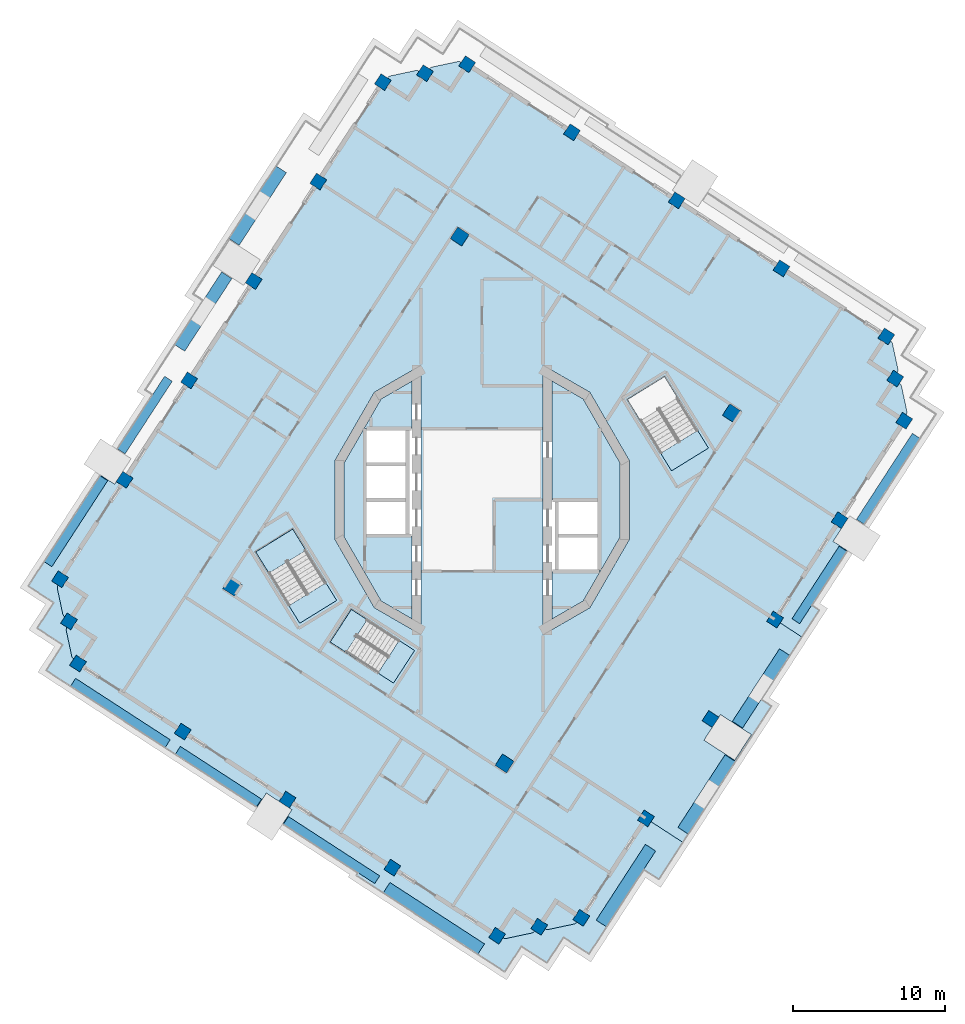
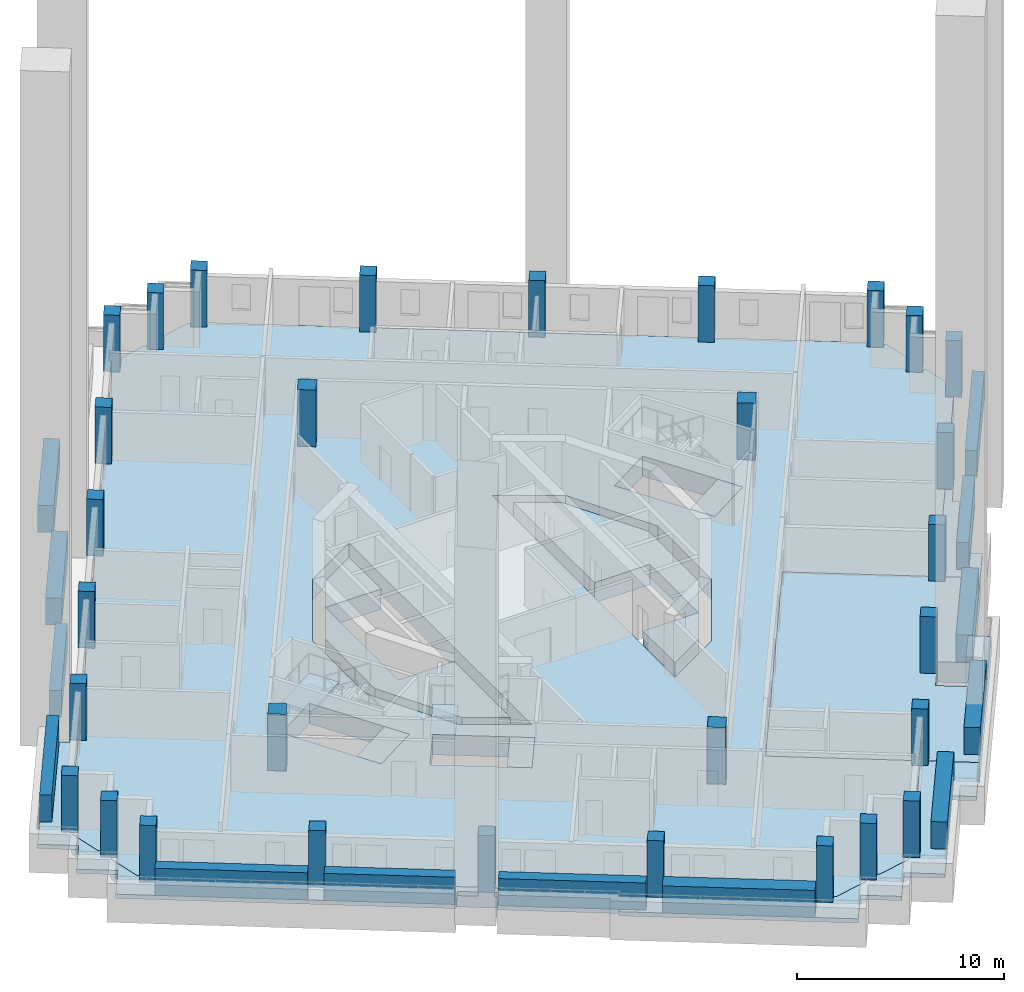
# One storey, part 1 of 15: 30 columns, 13 plates, 12 slabs, 2 elements without a shape of their own.
"""IFC4 building model written with IfcOpenShell, lengths in metres."""

from ifc_helpers import new_model, si_unit, direction, frame, origin, origin_2d, place, context, subcontext, project, spatial, polyline, rectangle, outline, extrude, material, layer, layer_set, material_profile, profile_set, type_object, element, aggregate, save


model = new_model("IFC4")

# Units and contexts
model_context = context("Model", 3, precision=1e-05, world=origin(), true_north=direction((0.0, 1.0)))
body_context = subcontext(model_context, "Body", "Model", "MODEL_VIEW")
ifc_project = project(units=[si_unit("LENGTHUNIT", "METRE"), si_unit("AREAUNIT", "SQUARE_METRE"), si_unit("VOLUMEUNIT", "CUBIC_METRE"), si_unit("PLANEANGLEUNIT", "RADIAN"), si_unit("MASSUNIT", "GRAM", prefix="KILO")], contexts=[model_context])

# Site, building, storey
site_placement = place(None, origin())
site = spatial("IfcSite", under=ifc_project, at=site_placement, CompositionType="ELEMENT")
building_placement = place(site_placement, origin())
building = spatial("IfcBuilding", under=site, at=building_placement, Name="Cantera Rosa Tower", CompositionType="ELEMENT")
storey_placement = place(building_placement, frame((0.0, 0.0, 250.5)))
storey = spatial("IfcBuildingStorey", under=building, at=storey_placement, Name="L55", CompositionType="ELEMENT", Elevation=250.5)

# Columns
ifc_material_1 = material(Name="Concrete C50/60", Category="concrete")
ifc_material_profile_1 = material_profile(ifc_material_1, rectangle(XDim=0.800048828125, YDim=0.800048828125, at=origin_2d()), Name="RC COLUMN RC800X800 C50/60")
ifc_profile_set_1 = profile_set([ifc_material_profile_1], Name="Concrete C50/60")
column_type_1 = type_object("IfcColumnType", Name="RC COLUMN RC800X800 C50/60", PredefinedType="COLUMN", material=ifc_profile_set_1)
for number, where, z_axis, x_axis, name in (
    (1, (26.52587890625, 10.73486328125, 0.0), (0.0, 0.0, 1.0), (0.544639035015, 0.838670567945, 0.0), "C-Z5-01 L55"),
    (2, (19.64892578125, 15.20068359375, 0.0), (0.0, 0.0, 1.0), (0.544639035015, 0.838670567945, 0.0), "C-Z5-02 L55"),
    (3, (12.771728515625, 19.666748046875, 0.0), (0.0, 0.0, 1.0), (0.544639035015, 0.838670567945, 0.0), "C-Z5-03 L55"),
    (4, (5.894775390625, 24.1328125, 0.0), (0.0, 0.0, 1.0), (0.544639035015, 0.838670567945, 0.0), "C-Z5-04 L55"),
    (5, (-0.982421875, 28.598876953125, 0.0), (0.0, 0.0, 1.0), (0.544639035015, 0.838670567945, 0.0), "C-Z5-05 L55"),
    (6, (-3.7490234375, 28.0107421875, 0.0), (0.0, 0.0, 1.0), (0.544639035015, 0.838670567945, 0.0), "C-Z5-06 L55"),
    (7, (-6.515625, 27.4228515625, 0.0), (0.0, 0.0, 1.0), (0.544639035015, 0.838670567945, 0.0), "C-Z5-07 L55"),
    (8, (-10.7529296875, 20.89794921875, 0.0), (0.0, 0.0, 1.0), (0.544639035015, 0.838670567945, 0.0), "C-Z5-08 L55"),
    (9, (-14.990234375, 14.373046875, 0.0), (0.0, 0.0, 1.0), (0.544639035015, 0.838670567945, 0.0), "C-Z5-09 L55"),
    (10, (-19.2275390625, 7.84814453125, 0.0), (0.0, 0.0, 1.0), (0.544639035015, 0.838670567945, 0.0), "C-Z5-10 L55"),
    (11, (-23.46484375, 1.3232421875, 0.0), (0.0, 0.0, 1.0), (0.544639035015, 0.838670567945, 0.0), "C-Z5-11 L55"),
    (12, (-27.7021484375, -5.201416015625, 0.0), (0.0, 0.0, 1.0), (0.544639035015, 0.838670567945, 0.0), "C-Z5-12 L55"),
    (13, (-27.114013671875, -7.968017578125, 0.0), (0.0, 0.0, 1.0), (0.544639035015, 0.838670567945, 0.0), "C-Z5-13 L55"),
    (14, (-26.52587890625, -10.73486328125, 0.0), (0.0, 0.0, 1.0), (0.544639035015, 0.838670567945, 0.0), "C-Z5-14 L55"),
    (15, (-19.64892578125, -15.20068359375, 0.0), (0.0, 0.0, 1.0), (0.544639035015, 0.838670567945, 0.0), "C-Z5-15 L55"),
    (16, (-12.771728515625, -19.666748046875, 0.0), (0.0, 0.0, 1.0), (0.544639035015, 0.838670567945, 0.0), "C-Z5-16 L55"),
    (17, (-5.894775390625, -24.1328125, 0.0), (0.0, 0.0, 1.0), (0.544639035015, 0.838670567945, 0.0), "C-Z5-17 L55"),
    (18, (0.982421875, -28.598876953125, 0.0), (0.0, 0.0, 1.0), (0.544639035015, 0.838670567945, 0.0), "C-Z5-18 L55"),
    (19, (3.7490234375, -28.0107421875, 0.0), (0.0, 0.0, 1.0), (0.544639035015, 0.838670567945, 0.0), "C-Z5-19 L55"),
    (20, (6.515625, -27.4228515625, 0.0), (0.0, 0.0, 1.0), (0.544639035015, 0.838670567945, 0.0), "C-Z5-20 L55"),
    (21, (10.7529296875, -20.89794921875, 0.0), (0.0, 0.0, 1.0), (0.544639035015, 0.838670567945, 0.0), "C-Z5-21 L55"),
    (22, (14.990234375, -14.373046875, 0.0), (0.0, 0.0, 1.0), (0.544639035015, 0.838670567945, 0.0), "C-Z5-22 L55"),
    (23, (19.2275390625, -7.84814453125, 0.0), (0.0, 0.0, 1.0), (0.544639035015, 0.838670567945, 0.0), "C-Z5-23 L55"),
    (24, (23.46484375, -1.3232421875, 0.0), (0.0, 0.0, 1.0), (0.544639035015, 0.838670567945, 0.0), "C-Z5-24 L55"),
    (25, (27.7021484375, 5.201416015625, 0.0), (0.0, 0.0, 1.0), (0.544639035015, 0.838670567945, 0.0), "C-Z5-25 L55"),
    (26, (27.114013671875, 7.968017578125, 0.0), (0.0, 0.0, 1.0), (0.544639035015, 0.838670567945, 0.0), "C-Z5-26 L55"),
):
    element("IfcColumn", number, at=place(storey_placement, frame(where, z_axis=z_axis, x_axis=x_axis)), inside=storey, type_object=column_type_1, Name=name, PredefinedType="COLUMN", context=body_context, shape_type="SweptSolid", body=[
        extrude(rectangle(XDim=0.800048828125, YDim=0.800048828125, at=origin_2d()), origin(), (0.0, 0.0, 1.0), 3.35009765625),
    ])
ifc_material_2 = material(Name="Concrete C50/60", Category="concrete")
ifc_material_profile_2 = material_profile(ifc_material_2, rectangle(XDim=0.89990234375, YDim=0.89990234375, at=origin_2d()), Name="RC RING COLUMN RC900X900 C50/60")
ifc_profile_set_2 = profile_set([ifc_material_profile_2], Name="Concrete C50/60")
column_type_2 = type_object("IfcColumnType", Name="RC RING COLUMN RC900X900 C50/60", PredefinedType="COLUMN", material=ifc_profile_set_2)
for number, where, z_axis, x_axis, name in (
    (27, (-1.47021484375, 17.290283203125, 0.0), (0.0, 0.0, 1.0), (0.544639035015, 0.838670567945, 0.0), "CI-Z5-1 L55"),
    (28, (-16.393310546875, -5.689453125, 0.0), (0.0, 0.0, 1.0), (0.544639035015, 0.838670567945, 0.0), "CI-Z5-2 L55"),
    (29, (1.47021484375, -17.290283203125, 0.0), (0.0, 0.0, 1.0), (0.544639035015, 0.838670567945, 0.0), "CI-Z5-3 L55"),
    (30, (16.393310546875, 5.689453125, 0.0), (0.0, 0.0, 1.0), (0.544639035015, 0.838670567945, 0.0), "CI-Z5-4 L55"),
):
    element("IfcColumn", number, at=place(storey_placement, frame(where, z_axis=z_axis, x_axis=x_axis)), inside=storey, type_object=column_type_2, Name=name, PredefinedType="COLUMN", context=body_context, shape_type="SweptSolid", body=[
        extrude(rectangle(XDim=0.89990234375, YDim=0.89990234375, at=origin_2d()), origin(), (0.0, 0.0, 1.0), 3.35009765625),
    ])

# Slabs
ifc_material_3 = material(Name="Concrete C35/45", Category="concrete")
ifc_layer_1 = layer(ifc_material_3, 0.25)
ifc_layer_set_1 = layer_set([ifc_layer_1], Name="LOGGIA SLAB 250 C35/45")
slab_type_1 = type_object("IfcSlabType", Name="LOGGIA SLAB 250 C35/45", PredefinedType="FLOOR", material=ifc_layer_set_1)
slab_1_placement = place(storey_placement, frame((0.0, 0.0, -0.25)))
element("IfcSlab", 31, at=slab_1_placement, inside=storey, type_object=slab_type_1, Name="LOGGIA SLAB L55 1", PredefinedType="FLOOR", context=body_context, shape_type="SweptSolid", body=[
    extrude(outline(polyline([(-28.600830078125, -11.17578125), (-27.783935546875, -9.917724609375), (-27.51171875, -9.49853515625), (-27.930908203125, -9.22607421875), (-29.18896484375, -8.4091796875), (-28.3720703125, -7.151123046875), (-28.099609375, -6.731689453125), (-28.51904296875, -6.45947265625), (-29.777099609375, -5.642578125), (-28.960205078125, -4.384521484375), (-25.540771484375, 0.880859375), (-25.542236328125, 0.8818359375), (-25.051025390625, 1.63818359375), (-24.127197265625, 1.0380859375), (-24.01806640625, 1.205810546875), (-23.6826171875, 0.98779296875), (-27.13330078125, -4.32568359375), (-27.7021484375, -5.201416015625), (-27.863037109375, -5.643798828125), (-27.872802734375, -5.67138671875), (-27.87939453125, -5.7001953125), (-27.88330078125, -5.729248046875), (-27.884521484375, -5.7587890625), (-27.882568359375, -5.7880859375), (-27.8779296875, -5.817138671875), (-27.525146484375, -7.477294921875), (-27.517578125, -7.505615234375), (-27.50732421875, -7.533203125), (-27.494384765625, -7.559814453125), (-27.47900390625, -7.584716796875), (-27.461181640625, -7.608154296875), (-27.44091796875, -7.629638671875), (-27.114013671875, -7.968017578125), (-27.275146484375, -8.410400390625), (-27.28466796875, -8.43798828125), (-27.29150390625, -8.466796875), (-27.29541015625, -8.49609375), (-27.29638671875, -8.525390625), (-27.294677734375, -8.5546875), (-27.289794921875, -8.583740234375), (-26.93701171875, -10.243896484375), (-26.929443359375, -10.272216796875), (-26.919189453125, -10.2998046875), (-26.90625, -10.326416015625), (-26.890869140625, -10.351318359375), (-26.873046875, -10.374755859375), (-26.852783203125, -10.396240234375), (-26.52587890625, -10.734619140625), (-25.650146484375, -11.303466796875), (-13.107421875, -19.448974609375), (-13.3251953125, -19.784423828125), (-14.163818359375, -19.23974609375), (-14.762939453125, -20.162353515625), (-14.8466796875, -20.10791015625), (-19.207763671875, -17.275634765625), (-21.723876953125, -15.641845703125), (-27.343017578125, -11.992919921875), (-28.600830078125, -11.17578125)])), origin(), (0.0, 0.0, 1.0), 0.25),
])
slab_2_placement = place(storey_placement, frame((0.0, 0.0, -0.25)))
element("IfcSlab", 32, at=slab_2_placement, inside=storey, type_object=slab_type_1, Name="LOGGIA SLAB L55 3", PredefinedType="FLOOR", context=body_context, shape_type="SweptSolid", body=[
    extrude(outline(polyline([(5.58984375, -28.848388671875), (5.338134765625, -28.68505859375), (5.1748046875, -28.936767578125), (4.248779296875, -30.362548828125), (2.822998046875, -29.4365234375), (2.571533203125, -29.273193359375), (2.408203125, -29.52490234375), (1.482421875, -30.950439453125), (0.056396484375, -30.024658203125), (-8.246337890625, -24.6328125), (-8.137451171875, -24.465087890625), (-12.330810546875, -21.74169921875), (-13.08544921875, -21.251708984375), (-12.486328125, -20.3291015625), (-12.654296875, -20.22021484375), (-12.436279296875, -19.884765625), (0.106689453125, -28.030029296875), (0.982421875, -28.598876953125), (1.424560546875, -28.760009765625), (1.452392578125, -28.76953125), (1.481201171875, -28.7763671875), (1.51025390625, -28.7802734375), (1.539794921875, -28.78125), (1.569091796875, -28.779296875), (1.59814453125, -28.774658203125), (3.258056640625, -28.421875), (3.28662109375, -28.414306640625), (3.314208984375, -28.404052734375), (3.340576171875, -28.39111328125), (3.365478515625, -28.375732421875), (3.388916015625, -28.35791015625), (3.41064453125, -28.337890625), (3.7490234375, -28.0107421875), (4.191162109375, -28.171875), (4.218994140625, -28.181396484375), (4.247802734375, -28.188232421875), (4.27685546875, -28.192138671875), (4.306396484375, -28.193115234375), (4.335693359375, -28.19140625), (4.36474609375, -28.186767578125), (6.024658203125, -27.833740234375), (6.05322265625, -27.826416015625), (6.080810546875, -27.81591796875), (6.107177734375, -27.802978515625), (6.132080078125, -27.78759765625), (6.15576171875, -27.769775390625), (6.17724609375, -27.749755859375), (6.515625, -27.4228515625), (7.08447265625, -26.547119140625), (10.7529296875, -20.89794921875), (13.1669921875, -22.4658203125), (11.599365234375, -24.8798828125), (10.61083984375, -24.238037109375), (7.94140625, -28.3486328125), (7.015380859375, -29.7744140625), (5.58984375, -28.848388671875)])), origin(), (0.0, 0.0, 1.0), 0.25),
])
slab_3_placement = place(storey_placement, frame((0.0, 0.0, -0.25)))
element("IfcSlab", 33, at=slab_3_placement, inside=storey, type_object=slab_type_1, Name="LOGGIA SLAB L55 4", PredefinedType="FLOOR", context=body_context, shape_type="SweptSolid", body=[
    extrude(outline(polyline([(23.037841796875, -2.71533203125), (23.9619140625, -3.3154296875), (21.625, -6.9140625), (22.117431640625, -7.23388671875), (20.9794921875, -8.986083984375), (19.2275390625, -7.84814453125), (23.2470703125, -1.65869140625), (23.58251953125, -1.876708984375), (23.037841796875, -2.71533203125)])), origin(), (0.0, 0.0, 1.0), 0.25),
])

# Plates
ifc_material_4 = material(Name="Cantera stone planter with soil", Category="masonry")
plate_type_1 = type_object("IfcPlateType", Name="PLANTER 600", PredefinedType="USERDEFINED", material=ifc_material_4)
plate_1_placement = place(storey_placement, frame((-22.13623046875, 5.57568359375, 0.0), z_axis=(0.0, 0.0, 1.0), x_axis=(-0.544639035015, -0.838670567945, 0.0)))
element("IfcPlate", 34, at=plate_1_placement, inside=storey, type_object=plate_type_1, Name="PLANTER L55-08", ObjectType="PLANTER", PredefinedType="USERDEFINED", context=body_context, shape_type="SweptSolid", body=[
    extrude(rectangle(XDim=5.679931640625, YDim=0.60009765625, at=origin_2d()), origin(), (0.0, 0.0, 1.0), 1.60009765625),
])
plate_2_placement = place(storey_placement, frame((-26.657958984375, -1.390380859375, 0.0), z_axis=(0.0, 0.0, 1.0), x_axis=(-0.544639035015, -0.838670567945, 0.0)))
element("IfcPlate", 35, at=plate_2_placement, inside=storey, type_object=plate_type_1, Name="PLANTER L55-09", ObjectType="PLANTER", PredefinedType="USERDEFINED", context=body_context, shape_type="SweptSolid", body=[
    extrude(rectangle(XDim=6.72998046875, YDim=0.60009765625, at=origin_2d()), origin(), (0.0, 0.0, 1.0), 1.60009765625),
])
plate_3_placement = place(storey_placement, frame((-23.740966796875, -13.97412109375, 0.0), z_axis=(0.0, 0.0, 1.0), x_axis=(0.838670567945, -0.544639035015, 0.0)))
element("IfcPlate", 36, at=plate_3_placement, inside=storey, type_object=plate_type_1, Name="PLANTER L55-10", ObjectType="PLANTER", PredefinedType="USERDEFINED", context=body_context, shape_type="SweptSolid", body=[
    extrude(rectangle(XDim=7.39990234375, YDim=0.60009765625, at=origin_2d()), origin(), (0.0, 0.0, 1.0), 1.60009765625),
])
plate_4_placement = place(storey_placement, frame((-17.30419921875, -18.154296875, 0.0), z_axis=(0.0, 0.0, 1.0), x_axis=(0.838670567945, -0.544639035015, 0.0)))
element("IfcPlate", 37, at=plate_4_placement, inside=storey, type_object=plate_type_1, Name="PLANTER L55-11", ObjectType="PLANTER", PredefinedType="USERDEFINED", context=body_context, shape_type="SweptSolid", body=[
    extrude(rectangle(XDim=6.35009765625, YDim=0.60009765625, at=origin_2d()), origin(), (0.0, 0.0, 1.0), 1.60009765625),
])
plate_5_placement = place(storey_placement, frame((-9.882080078125, -22.974365234375, 0.0), z_axis=(0.0, 0.0, 1.0), x_axis=(0.838670567945, -0.544639035015, 0.0)))
element("IfcPlate", 38, at=plate_5_placement, inside=storey, type_object=plate_type_1, Name="PLANTER L55-12", ObjectType="PLANTER", PredefinedType="USERDEFINED", context=body_context, shape_type="SweptSolid", body=[
    extrude(rectangle(XDim=7.14990234375, YDim=0.60009765625, at=origin_2d()), origin(), (0.0, 0.0, 1.0), 1.60009765625),
])
plate_6_placement = place(storey_placement, frame((22.13623046875, -5.57568359375, 0.0), z_axis=(0.0, 0.0, 1.0), x_axis=(0.544639035015, 0.838670567945, 0.0)))
element("IfcPlate", 39, at=plate_6_placement, inside=storey, type_object=plate_type_1, Name="PLANTER L55-17", ObjectType="PLANTER", PredefinedType="USERDEFINED", context=body_context, shape_type="SweptSolid", body=[
    extrude(rectangle(XDim=5.679931640625, YDim=0.60009765625, at=origin_2d()), origin(), (0.0, 0.0, 1.0), 1.60009765625),
])
plate_7_placement = place(storey_placement, frame((26.657958984375, 1.390380859375, 0.0), z_axis=(0.0, 0.0, 1.0), x_axis=(0.544639035015, 0.838670567945, 0.0)))
element("IfcPlate", 40, at=plate_7_placement, inside=storey, type_object=plate_type_1, Name="PLANTER L55-18", ObjectType="PLANTER", PredefinedType="USERDEFINED", context=body_context, shape_type="SweptSolid", body=[
    extrude(rectangle(XDim=6.72998046875, YDim=0.60009765625, at=origin_2d()), origin(), (0.0, 0.0, 1.0), 1.60009765625),
])
ifc_material_5 = material(Name="Cantera stone planter with soil", Category="masonry")
plate_type_2 = type_object("IfcPlateType", Name="PLANTER 800", PredefinedType="USERDEFINED", material=ifc_material_5)
for number, where, z_axis, x_axis, name in (
    (41, (-14.732421875, 19.32080078125, 0.0), (0.0, 0.0, 1.0), (-0.544639035015, -0.838670567945, 0.0), "PLANTER L55-06"),
    (42, (-18.3076171875, 12.365966796875, 0.0), (0.0, 0.0, 1.0), (-0.544639035015, -0.838670567945, 0.0), "PLANTER L55-07"),
):
    element("IfcPlate", number, at=place(storey_placement, frame(where, z_axis=z_axis, x_axis=x_axis)), inside=storey, type_object=plate_type_2, Name=name, ObjectType="PLANTER", PredefinedType="USERDEFINED", context=body_context, shape_type="SweptSolid", body=[
        extrude(rectangle(XDim=5.679931640625, YDim=0.800048828125, at=origin_2d()), origin(), (0.0, 0.0, 1.0), 1.60009765625),
    ])
plate_8_placement = place(storey_placement, frame((-3.1640625, -27.4560546875, 0.0), z_axis=(0.0, 0.0, 1.0), x_axis=(0.838670567945, -0.544639035015, 0.0)))
element("IfcPlate", 43, at=plate_8_placement, inside=storey, type_object=plate_type_2, Name="PLANTER L55-13", ObjectType="PLANTER", PredefinedType="USERDEFINED", context=body_context, shape_type="SweptSolid", body=[
    extrude(rectangle(XDim=7.39990234375, YDim=0.800048828125, at=origin_2d()), origin(), (0.0, 0.0, 1.0), 1.60009765625),
])
plate_9_placement = place(storey_placement, frame((9.438720703125, -25.30859375, 0.0), z_axis=(0.0, 0.0, 1.0), x_axis=(0.544639035015, 0.838670567945, 0.0)))
element("IfcPlate", 44, at=plate_9_placement, inside=storey, type_object=plate_type_2, Name="PLANTER L55-14", ObjectType="PLANTER", PredefinedType="USERDEFINED", context=body_context, shape_type="SweptSolid", body=[
    extrude(rectangle(XDim=5.929931640625, YDim=0.800048828125, at=origin_2d()), origin(), (0.0, 0.0, 1.0), 1.60009765625),
])
for number, where, z_axis, x_axis, name in (
    (45, (14.732421875, -19.32080078125, 0.0), (0.0, 0.0, 1.0), (0.544639035015, 0.838670567945, 0.0), "PLANTER L55-15"),
    (46, (18.3076171875, -12.365966796875, 0.0), (0.0, 0.0, 1.0), (0.544639035015, 0.838670567945, 0.0), "PLANTER L55-16"),
):
    element("IfcPlate", number, at=place(storey_placement, frame(where, z_axis=z_axis, x_axis=x_axis)), inside=storey, type_object=plate_type_2, Name=name, ObjectType="PLANTER", PredefinedType="USERDEFINED", context=body_context, shape_type="SweptSolid", body=[
        extrude(rectangle(XDim=5.679931640625, YDim=0.800048828125, at=origin_2d()), origin(), (0.0, 0.0, 1.0), 1.60009765625),
    ])

# Slabs
ifc_material_6 = material(Name="Concrete C50/60", Category="concrete")
ifc_layer_2 = layer(ifc_material_6, 0.300048828125)
ifc_layer_set_2 = layer_set([ifc_layer_2], Name="RC STAIR ARRIVAL LANDING 300 C50/60")
slab_type_2 = type_object("IfcSlabType", Name="RC STAIR ARRIVAL LANDING 300 C50/60", PredefinedType="FLOOR", material=ifc_layer_set_2)
slab_4_placement = place(storey_placement, frame((0.0, 0.0, -0.300048828125)))
element("IfcSlab", 47, at=slab_4_placement, inside=storey, type_object=slab_type_2, Name="SLAB L55 arrival 1", PredefinedType="FLOOR", context=body_context, shape_type="SweptSolid", body=[
    extrude(outline(polyline([(-10.258544921875, -5.433349609375), (-9.54345703125, -6.592529296875), (-11.96923828125, -8.088623046875), (-12.68408203125, -6.929443359375), (-10.258544921875, -5.433349609375)])), origin(), (0.0, 0.0, 1.0), 0.300048828125),
])
slab_5_placement = place(storey_placement, frame((0.0, 0.0, -0.300048828125)))
element("IfcSlab", 48, at=slab_5_placement, inside=storey, type_object=slab_type_2, Name="SLAB L55 arrival 2", PredefinedType="FLOOR", context=body_context, shape_type="SweptSolid", body=[
    extrude(outline(polyline([(-5.4462890625, -9.218505859375), (-4.429931640625, -9.878662109375), (-5.818603515625, -12.017333984375), (-6.835205078125, -11.357177734375), (-5.4462890625, -9.218505859375)])), origin(), (0.0, 0.0, 1.0), 0.300048828125),
])
slab_6_placement = place(storey_placement, frame((0.0, 0.0, -0.300048828125)))
element("IfcSlab", 49, at=slab_6_placement, inside=storey, type_object=slab_type_2, Name="SLAB L55 arrival 3", PredefinedType="FLOOR", context=body_context, shape_type="SweptSolid", body=[
    extrude(outline(polyline([(14.1416015625, 4.566650390625), (14.8564453125, 3.407470703125), (12.430908203125, 1.911376953125), (11.7158203125, 3.070556640625), (14.1416015625, 4.566650390625)])), origin(), (0.0, 0.0, 1.0), 0.300048828125),
])
ifc_material_7 = material(Name="Concrete C50/60", Category="concrete")
ifc_layer_3 = layer(ifc_material_7, 1.199951171875)
ifc_layer_set_3 = layer_set([ifc_layer_3], Name="RC TRANSFER PLATE 1200 C50/60")
slab_type_3 = type_object("IfcSlabType", Name="RC TRANSFER PLATE 1200 C50/60", PredefinedType="FLOOR", material=ifc_layer_set_3)
slab_7_placement = place(storey_placement, frame((0.0, 0.0, -1.199951171875)))
element("IfcSlab", 50, at=slab_7_placement, inside=storey, type_object=slab_type_3, Name="SLAB L55 floor 1", PredefinedType="FLOOR", context=body_context, shape_type="SweptSolid", body=[
    extrude(outline(polyline([(-4.60009765625, -2.35009765625), (-4.60009765625, -7.804931640625), (-6.6318359375, -6.6318359375), (-9.059326171875, -2.427490234375), (-9.059326171875, 2.427490234375), (-6.6318359375, 6.6318359375), (-4.60009765625, 7.804931640625), (-4.60009765625, 4.699951171875), (-7.699951171875, 4.699951171875), (-7.699951171875, 2.35009765625), (-7.699951171875, 0.0), (-7.699951171875, -2.35009765625), (-4.60009765625, -2.35009765625)])), origin(), (0.0, 0.0, 1.0), 1.199951171875),
])
slab_8_placement = place(storey_placement, frame((0.0, 0.0, -1.199951171875)))
element("IfcSlab", 51, at=slab_8_placement, inside=storey, type_object=slab_type_3, Name="SLAB L55 floor 2", PredefinedType="FLOOR", context=body_context, shape_type="SweptSolid", body=[
    extrude(outline(polyline([(0.106689453125, -28.030029296875), (-25.650146484375, -11.303466796875), (-26.52587890625, -10.734619140625), (-26.852783203125, -10.396240234375), (-26.873046875, -10.374755859375), (-26.890869140625, -10.351318359375), (-26.90625, -10.326416015625), (-26.919189453125, -10.2998046875), (-26.929443359375, -10.272216796875), (-26.93701171875, -10.243896484375), (-27.289794921875, -8.583740234375), (-27.294677734375, -8.5546875), (-27.29638671875, -8.525390625), (-27.29541015625, -8.49609375), (-27.29150390625, -8.466796875), (-27.28466796875, -8.43798828125), (-27.275146484375, -8.410400390625), (-27.114013671875, -7.968017578125), (-27.44091796875, -7.629638671875), (-27.461181640625, -7.608154296875), (-27.47900390625, -7.584716796875), (-27.494384765625, -7.559814453125), (-27.50732421875, -7.533203125), (-27.517578125, -7.505615234375), (-27.525146484375, -7.477294921875), (-27.8779296875, -5.817138671875), (-27.882568359375, -5.7880859375), (-27.884521484375, -5.7587890625), (-27.88330078125, -5.729248046875), (-27.87939453125, -5.7001953125), (-27.872802734375, -5.67138671875), (-27.863037109375, -5.643798828125), (-27.7021484375, -5.201416015625), (-27.13330078125, -4.32568359375), (-7.08447265625, 26.547119140625), (-6.515625, 27.4228515625), (-6.17724609375, 27.749755859375), (-6.15576171875, 27.769775390625), (-6.132080078125, 27.78759765625), (-6.107177734375, 27.802978515625), (-6.080810546875, 27.81591796875), (-6.05322265625, 27.826416015625), (-6.024658203125, 27.833740234375), (-4.36474609375, 28.186767578125), (-4.335693359375, 28.19140625), (-4.306396484375, 28.193115234375), (-4.27685546875, 28.192138671875), (-4.247802734375, 28.188232421875), (-4.218994140625, 28.181396484375), (-4.191162109375, 28.171875), (-3.7490234375, 28.0107421875), (-3.41064453125, 28.337890625), (-3.388916015625, 28.35791015625), (-3.365478515625, 28.375732421875), (-3.340576171875, 28.39111328125), (-3.314208984375, 28.404052734375), (-3.28662109375, 28.414306640625), (-3.258056640625, 28.421875), (-1.59814453125, 28.774658203125), (-1.569091796875, 28.779296875), (-1.539794921875, 28.78125), (-1.51025390625, 28.7802734375), (-1.481201171875, 28.7763671875), (-1.452392578125, 28.76953125), (-1.424560546875, 28.760009765625), (-0.982421875, 28.598876953125), (-0.106689453125, 28.030029296875), (25.650146484375, 11.303466796875), (26.52587890625, 10.734619140625), (26.852783203125, 10.396240234375), (26.873046875, 10.374755859375), (26.890869140625, 10.351318359375), (26.90625, 10.326416015625), (26.919189453125, 10.2998046875), (26.929443359375, 10.272216796875), (26.93701171875, 10.243896484375), (27.289794921875, 8.583740234375), (27.294677734375, 8.5546875), (27.29638671875, 8.525390625), (27.29541015625, 8.49609375), (27.29150390625, 8.466796875), (27.28466796875, 8.43798828125), (27.275146484375, 8.410400390625), (27.114013671875, 7.968017578125), (27.44091796875, 7.629638671875), (27.461181640625, 7.608154296875), (27.47900390625, 7.584716796875), (27.494384765625, 7.559814453125), (27.50732421875, 7.533203125), (27.517578125, 7.505615234375), (27.525146484375, 7.477294921875), (27.8779296875, 5.817138671875), (27.882568359375, 5.7880859375), (27.884521484375, 5.7587890625), (27.88330078125, 5.729248046875), (27.87939453125, 5.7001953125), (27.872802734375, 5.67138671875), (27.863037109375, 5.643798828125), (27.7021484375, 5.201416015625), (27.13330078125, 4.32568359375), (19.2275390625, -7.84814453125), (12.9375, -3.763427734375), (4.462890625, -16.81298828125), (10.7529296875, -20.89794921875), (7.08447265625, -26.547119140625), (6.515625, -27.4228515625), (6.17724609375, -27.749755859375), (6.15576171875, -27.769775390625), (6.132080078125, -27.78759765625), (6.107177734375, -27.802978515625), (6.080810546875, -27.81591796875), (6.05322265625, -27.826416015625), (6.024658203125, -27.833740234375), (4.36474609375, -28.186767578125), (4.335693359375, -28.19140625), (4.306396484375, -28.193115234375), (4.27685546875, -28.192138671875), (4.247802734375, -28.188232421875), (4.218994140625, -28.181396484375), (4.191162109375, -28.171875), (3.7490234375, -28.0107421875), (3.41064453125, -28.337890625), (3.388916015625, -28.35791015625), (3.365478515625, -28.375732421875), (3.340576171875, -28.39111328125), (3.314208984375, -28.404052734375), (3.28662109375, -28.414306640625), (3.258056640625, -28.421875), (1.59814453125, -28.774658203125), (1.569091796875, -28.779296875), (1.539794921875, -28.78125), (1.51025390625, -28.7802734375), (1.481201171875, -28.7763671875), (1.452392578125, -28.76953125), (1.424560546875, -28.760009765625), (0.982421875, -28.598876953125), (0.106689453125, -28.030029296875)]), holes=[polyline([(-4.429931640625, -9.878662109375), (-5.4462890625, -9.218505859375), (-8.581298828125, -7.1826171875), (-9.97021484375, -9.3212890625), (-6.835205078125, -11.357177734375), (-5.818603515625, -12.017333984375), (-4.429931640625, -9.878662109375)]), polyline([(-9.54345703125, -6.592529296875), (-12.430908203125, -1.911376953125), (-14.8564453125, -3.407470703125), (-11.96923828125, -8.088623046875), (-9.54345703125, -6.592529296875)]), polyline([(-9.6591796875, 2.588134765625), (-9.6591796875, -2.588134765625), (-7.071044921875, -7.071044921875), (-4.0, -8.843994140625), (-4.0, 8.843994140625), (-7.071044921875, 7.071044921875), (-9.6591796875, 2.588134765625)]), polyline([(9.6591796875, -2.588134765625), (9.6591796875, 2.588134765625), (7.071044921875, 7.071044921875), (4.0, 8.843994140625), (4.0, -8.843994140625), (7.071044921875, -7.071044921875), (9.6591796875, -2.588134765625)]), polyline([(14.8564453125, 3.407470703125), (11.96923828125, 8.088623046875), (9.54345703125, 6.592529296875), (12.430908203125, 1.911376953125), (14.8564453125, 3.407470703125)])]), origin(), (0.0, 0.0, 1.0), 1.199951171875),
])
slab_9_placement = place(storey_placement, frame((0.0, 0.0, -1.199951171875)))
element("IfcSlab", 52, at=slab_9_placement, inside=storey, type_object=slab_type_3, Name="SLAB L55 floor 3", PredefinedType="FLOOR", context=body_context, shape_type="SweptSolid", body=[
    extrude(outline(polyline([(7.699951171875, 0.0), (4.60009765625, 0.0), (4.60009765625, 7.804931640625), (6.6318359375, 6.6318359375), (9.059326171875, 2.427490234375), (9.059326171875, -2.427490234375), (6.6318359375, -6.6318359375), (4.60009765625, -7.804931640625), (4.60009765625, -4.699951171875), (7.699951171875, -4.699951171875), (7.699951171875, -2.35009765625), (7.699951171875, 0.0)])), origin(), (0.0, 0.0, 1.0), 1.199951171875),
])
ifc_material_8 = material(Name="Concrete C50/60", Category="concrete")
ifc_layer_4 = layer(ifc_material_8, 1.199951171875)
ifc_layer_set_4 = layer_set([ifc_layer_4], Name="RC TRANSFER PLATE TERRACE 1200 C50/60")
slab_type_4 = type_object("IfcSlabType", Name="RC TRANSFER PLATE TERRACE 1200 C50/60", PredefinedType="FLOOR", material=ifc_layer_set_4)
slab_10_placement = place(storey_placement, frame((0.0, 0.0, -1.199951171875)))
element("IfcSlab", 53, at=slab_10_placement, inside=storey, type_object=slab_type_4, Name="RC TRANSFER PLATE TERRACE L55 1", PredefinedType="FLOOR", context=body_context, shape_type="SweptSolid", body=[
    extrude(outline(polyline([(20.9794921875, -8.986083984375), (18.31005859375, -13.0966796875), (18.97216796875, -13.526611328125), (13.1669921875, -22.4658203125), (10.7529296875, -20.89794921875), (4.462890625, -16.81298828125), (12.9375, -3.763427734375), (19.2275390625, -7.84814453125), (20.9794921875, -8.986083984375)]), holes=[polyline([(17.665283203125, -15.39501953125), (15.652587890625, -14.087646484375), (15.543701171875, -14.255615234375), (15.2080078125, -14.03759765625), (14.7724609375, -14.70849609375), (15.10791015625, -14.926513671875), (14.563232421875, -15.76513671875), (16.575927734375, -17.072265625), (17.665283203125, -15.39501953125)])]), origin(), (0.0, 0.0, 1.0), 1.199951171875),
])

# Stair, slab
ifc_material_9 = material(Name="Concrete C35/45", Category="concrete")
stair_type_1 = type_object("IfcStairType", Name="EXIT STAIR 1350 DOGLEG", PredefinedType="HALF_TURN_STAIR", material=ifc_material_9)
stair_1_placement = place(storey_placement, origin())
stair_1 = element("IfcStair", 54, at=stair_1_placement, inside=storey, type_object=stair_type_1, Name="L55 ST-52", PredefinedType="HALF_TURN_STAIR")
ifc_material_10 = material(Name="Concrete C35/45", Category="concrete")
ifc_layer_5 = layer(ifc_material_10, 0.199951171875)
ifc_layer_set_5 = layer_set([ifc_layer_5], Name="STAIR LANDING 200")
slab_type_5 = type_object("IfcSlabType", Name="STAIR LANDING 200", PredefinedType="LANDING", material=ifc_layer_set_5)
slab_11_placement = place(storey_placement, frame((0.0, 0.0, 1.60009765625)))
slab_11 = element("IfcSlab", 55, at=slab_11_placement, type_object=slab_type_5, Name="ST-52 landing 1", PredefinedType="LANDING", context=body_context, shape_type="SweptSolid", body=[
    extrude(outline(polyline([(-11.56884765625, -3.308837890625), (-12.430908203125, -1.911376953125), (-14.8564453125, -3.407470703125), (-13.99462890625, -4.80517578125), (-11.56884765625, -3.308837890625)])), origin(), (0.0, 0.0, 1.0), 0.199951171875),
])
aggregate(stair_1, [slab_11])

ifc_material_11 = material(Name="Concrete C35/45", Category="concrete")
stair_type_2 = type_object("IfcStairType", Name="EXIT STAIR 1200 DOGLEG", PredefinedType="HALF_TURN_STAIR", material=ifc_material_11)
stair_2_placement = place(storey_placement, origin())
stair_2 = element("IfcStair", 56, at=stair_2_placement, inside=storey, type_object=stair_type_2, Name="L55 ST-53", PredefinedType="HALF_TURN_STAIR")
slab_12_placement = place(storey_placement, frame((0.0, 0.0, 1.60009765625)))
slab_12 = element("IfcSlab", 57, at=slab_12_placement, type_object=slab_type_5, Name="ST-53 landing 1", PredefinedType="LANDING", context=body_context, shape_type="SweptSolid", body=[
    extrude(outline(polyline([(-7.53955078125, -7.859130859375), (-8.581298828125, -7.1826171875), (-9.97021484375, -9.3212890625), (-8.928466796875, -9.997802734375), (-7.53955078125, -7.859130859375)])), origin(), (0.0, 0.0, 1.0), 0.199951171875),
])
aggregate(stair_2, [slab_12])

save(model, "model.ifc")
